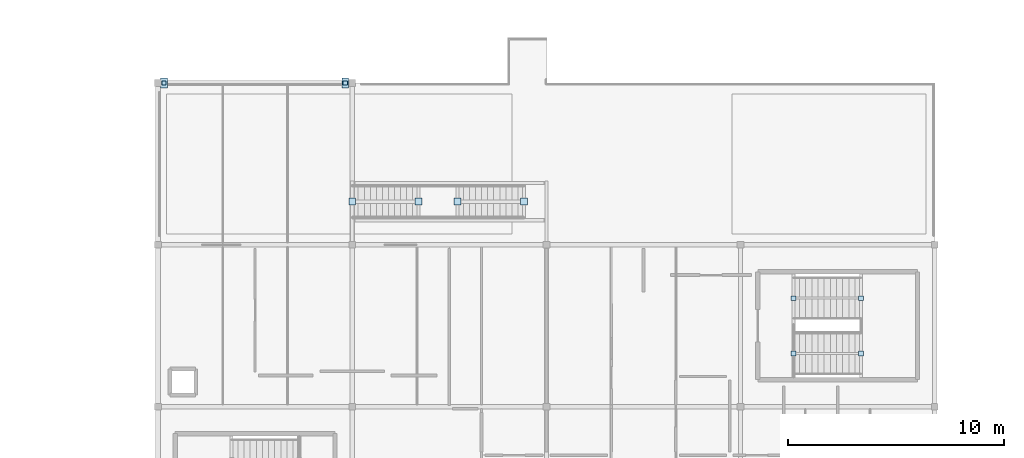
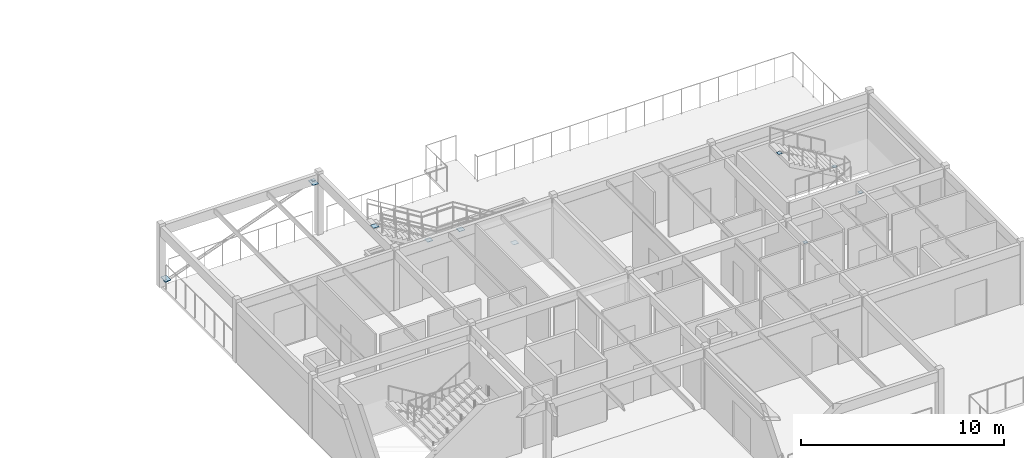
# One storey, part 17 of 24: 12 plates.
"""IFC4 building model written with IfcOpenShell, lengths in metres."""

import ifcopenshell
import ifcopenshell.guid

model = None  # the IFC model being written
_history = None  # IfcOwnerHistory: only IFC2X3 demands one
_inside = {}  # id of a spatial element -> (the spatial element, [elements in it])
_under = {}  # id of a project, library or spatial element -> (it, [spatial elements below it])
_declared = {}  # id of a project -> (the project, [libraries it declares])
_typed = {}  # id of a type object -> (the type object, [elements of that type])
_made_of = {}  # id of a material, layer set ... -> (it, [elements and type objects made of it])


def new_model(schema):
    """Start an empty IFC model of exactly this schema.

    Asked for "IFC4X3", IfcOpenShell would pick the latest addendum, in which some entities
    have other attributes; the version numbers below select the first issue.
    IFC2X3 requires an IfcOwnerHistory on every rooted entity: one is made here for all.
    """
    global model, _history
    if schema == "IFC4X3":
        model = ifcopenshell.file(schema_version=(4, 3, 0, 0))
    else:
        model = ifcopenshell.file(schema=schema)
    _inside.clear()
    _under.clear()
    _declared.clear()
    _typed.clear()
    _made_of.clear()
    _history = None
    if model.schema == "IFC2X3":
        org = make("IfcOrganization", Name="unknown")
        user = make(
            "IfcPersonAndOrganization",
            ThePerson=make("IfcPerson", FamilyName="unknown"),
            TheOrganization=org,
        )
        app = make(
            "IfcApplication",
            ApplicationDeveloper=org,
            Version="unknown",
            ApplicationFullName="unknown",
            ApplicationIdentifier="unknown",
        )
        _history = make(
            "IfcOwnerHistory",
            OwningUser=user,
            OwningApplication=app,
            ChangeAction="ADDED",
            CreationDate=0,
        )
    return model


def make(cls, **values):
    """One entity of the class cls with the attributes given. An attribute that is None is left unset."""
    return model.create_entity(
        cls, **{name: value for name, value in values.items() if value is not None}
    )


def rooted(cls, **values):
    """An entity with a GlobalId (a new one), such as an element, a storey or a relation."""
    return make(cls, GlobalId=ifcopenshell.guid.new(), OwnerHistory=_history, **values)


def si_unit(unit_type, name, prefix=None):
    """IfcSIUnit, for example si_unit("LENGTHUNIT", "METRE", prefix="MILLI")."""
    return make("IfcSIUnit", UnitType=unit_type, Prefix=prefix, Name=name)


def assignment(units):
    """IfcUnitAssignment: the units of a project."""
    return None if units is None else make("IfcUnitAssignment", Units=units)


def point(xyz):
    """IfcCartesianPoint."""
    return None if xyz is None else make("IfcCartesianPoint", Coordinates=xyz)


def direction(xyz):
    """IfcDirection."""
    return None if xyz is None else make("IfcDirection", DirectionRatios=xyz)


def frame(location, z_axis=None, x_axis=None):
    """IfcAxis2Placement3D, a coordinate frame: its origin and axes. An axis left out is left unset."""
    return make(
        "IfcAxis2Placement3D",
        Location=point(location),
        Axis=direction(z_axis),
        RefDirection=direction(x_axis),
    )


def frame_2d(location, x_axis=None):
    """IfcAxis2Placement2D, a coordinate frame in the plane: its origin and x axis."""
    return make(
        "IfcAxis2Placement2D", Location=point(location), RefDirection=direction(x_axis)
    )


def origin():
    """The frame at (0, 0, 0) with its axes left unset."""
    return frame((0.0, 0.0, 0.0))


def origin_2d():
    """The frame at (0, 0) in the plane with its x axis left unset."""
    return frame_2d((0.0, 0.0))


def place(relative_to, where):
    """IfcLocalPlacement: puts the frame where relative to a parent placement (None: the world)."""
    return make(
        "IfcLocalPlacement", PlacementRelTo=relative_to, RelativePlacement=where
    )


def context(
    kind, dimensions, precision=None, world=None, true_north=None, identifier=None
):
    """IfcGeometricRepresentationContext, for example the 3D "Model" context."""
    return make(
        "IfcGeometricRepresentationContext",
        ContextIdentifier=identifier,
        ContextType=kind,
        CoordinateSpaceDimension=dimensions,
        Precision=precision,
        WorldCoordinateSystem=world,
        TrueNorth=true_north,
    )


def subcontext(parent, identifier, kind, view, scale=None):
    """IfcGeometricRepresentationSubContext, for example "Body" below "Model"."""
    return make(
        "IfcGeometricRepresentationSubContext",
        ContextIdentifier=identifier,
        ContextType=kind,
        ParentContext=parent,
        TargetScale=scale,
        TargetView=view,
    )


def project(units=None, contexts=None):
    """IfcProject with its units and contexts."""
    return rooted(
        "IfcProject",
        Name="project",
        RepresentationContexts=contexts,
        UnitsInContext=assignment(units),
    )


def spatial(cls, under=None, at=None, **own):
    """A site, building, storey or space (cls), placed at a placement, below another one or the project."""
    s = rooted(cls, ObjectPlacement=at, **own)
    if under is not None:
        _under.setdefault(under.id(), (under, []))[1].append(s)
    return s


def profile(cls, at=None, kind="AREA", **sizes):
    """A parametric profile (cls). Its sizes go by their IFC names, for example OverallWidth=200.0."""
    return make(cls, ProfileType=kind, Position=at, **sizes)


def rectangle(**sizes):
    """IfcRectangleProfileDef."""
    return profile("IfcRectangleProfileDef", **sizes)


def extrude(swept, where, along, depth):
    """IfcExtrudedAreaSolid: the profile swept, set in the frame where, extruded along a direction by depth."""
    return make(
        "IfcExtrudedAreaSolid",
        SweptArea=swept,
        Position=where,
        ExtrudedDirection=direction(along),
        Depth=depth,
    )


def shape(context_of_items, identifier, shape_type, items):
    """IfcShapeRepresentation: the items that make up one representation, for example the "Body"."""
    return make(
        "IfcShapeRepresentation",
        ContextOfItems=context_of_items,
        RepresentationIdentifier=identifier,
        RepresentationType=shape_type,
        Items=items,
    )


def material(Name=None, Category=None):
    """IfcMaterial."""
    return make("IfcMaterial", Name=Name, Category=Category)


def layer(
    of_material, thickness, ventilated=None, Name=None, Category=None, Priority=None
):
    """IfcMaterialLayer: one layer of a wall or slab, of a material (None: an air gap)."""
    return make(
        "IfcMaterialLayer",
        Material=of_material,
        LayerThickness=thickness,
        IsVentilated=ventilated,
        Name=Name,
        Category=Category,
        Priority=Priority,
    )


def layer_set(layers, Name=None):
    """IfcMaterialLayerSet."""
    return make("IfcMaterialLayerSet", MaterialLayers=layers, LayerSetName=Name)


def made_of(thing, what):
    """Note that an element or type object is made of a material, layer set ...; save() writes the relation."""
    if what is not None:
        _made_of.setdefault(what.id(), (what, []))[1].append(thing)
    return thing


def type_object(cls, material=None, **own):
    """A type object (cls), such as IfcWallType, which elements share."""
    return made_of(rooted(cls, **own), material)


def element(
    cls,
    number,
    at=None,
    inside=None,
    cuts=None,
    type_object=None,
    material=None,
    context=None,
    identifier="Body",
    shape_type=None,
    held_by="IfcProductDefinitionShape",
    body=None,
    shapes=None,
    **own,
):
    """One element of the class cls, such as IfcWall. Its Tag is "e" and its number.

    at: its placement. inside: the storey or other place that contains it. cuts: it is an
    opening in that element (IfcRelVoidsElement). A single representation is given by context,
    identifier, shape_type and body (its items); several are given by shapes. held_by: the class
    of the entity that holds the representations. save() writes the other relations.
    """
    e = rooted(cls, Tag="e%d" % number, ObjectPlacement=at, **own)
    if body is not None:
        shapes = [shape(context, identifier, shape_type, body)]
    if shapes is not None:
        e.Representation = make(held_by, Representations=shapes)
    if inside is not None:
        _inside.setdefault(inside.id(), (inside, []))[1].append(e)
    if cuts is not None:
        rooted(
            "IfcRelVoidsElement", RelatingBuildingElement=cuts, RelatedOpeningElement=e
        )
    if type_object is not None:
        _typed.setdefault(type_object.id(), (type_object, []))[1].append(e)
    return made_of(e, material)


def aggregate(whole, parts):
    """IfcRelAggregates: a whole, such as a stair, and the parts it consists of."""
    return rooted("IfcRelAggregates", RelatingObject=whole, RelatedObjects=parts)


def save(model, path):
    """Write the relations noted so far, then the file.

    IfcRelAggregates (storeys below a building ...), IfcRelContainedInSpatialStructure (elements
    in a storey), IfcRelDefinesByType, IfcRelAssociatesMaterial and IfcRelDeclares: one each for
    every whole, place, type object, material and project.
    """
    for whole, parts in _under.values():
        aggregate(whole, parts)
    for where, things in _inside.values():
        rooted(
            "IfcRelContainedInSpatialStructure",
            RelatedElements=things,
            RelatingStructure=where,
        )
    for kind, things in _typed.values():
        rooted("IfcRelDefinesByType", RelatedObjects=things, RelatingType=kind)
    for what, things in _made_of.values():
        rooted("IfcRelAssociatesMaterial", RelatedObjects=things, RelatingMaterial=what)
    for by, libraries in _declared.values():
        rooted("IfcRelDeclares", RelatingContext=by, RelatedDefinitions=libraries)
    model.write(path)


model = new_model("IFC4")

# Units and contexts
model_context = context("Model", 3, precision=1e-05, world=origin(), true_north=direction((0.0, 1.0)))
body_context = subcontext(model_context, "Body", "Model", "MODEL_VIEW")
ifc_project = project(units=[si_unit("LENGTHUNIT", "METRE"), si_unit("AREAUNIT", "SQUARE_METRE"), si_unit("VOLUMEUNIT", "CUBIC_METRE"), si_unit("PLANEANGLEUNIT", "RADIAN"), si_unit("MASSUNIT", "GRAM", prefix="KILO")], contexts=[model_context])

# Site, building, storey
site_placement = place(None, origin())
site = spatial("IfcSite", under=ifc_project, at=site_placement, CompositionType="ELEMENT")
building_placement = place(site_placement, origin())
building = spatial("IfcBuilding", under=site, at=building_placement, Name="Marnridge Secondary College", CompositionType="ELEMENT")
storey_placement = place(building_placement, frame((0.0, 0.0, 16.10009765625)))
storey = spatial("IfcBuildingStorey", under=building, at=storey_placement, Name="L04", CompositionType="ELEMENT", Elevation=16.10009765625)

# Plates
ifc_material_1 = material(Name="Structural steel plate Grade 350 (AS/NZS 3678, fy = 350 MPa <=12mm, 340 MPa 12-20mm, 330 MPa 20-50mm)", Category="steel")
ifc_layer_1 = layer(ifc_material_1, 0.011962890625)
ifc_layer_set_1 = layer_set([ifc_layer_1], Name="PT-CAP-EXT")
plate_type_1 = type_object("IfcPlateType", Name="PT-CAP-EXT", PredefinedType="SHEET", material=ifc_layer_set_1)
for number, where, z_axis, x_axis, name in (
    (1, (54.281982421875, 75.0, 0.15478515625), (0.0, 0.0, 1.0), (1.0, 0.0, 0.0), "Tube end cap BR-010-EC1"),
    (2, (62.677978515625, 75.0, 3.29345703125), (0.0, 0.0, 1.0), (1.0, 0.0, 0.0), "Tube end cap BR-010-EC2"),
):
    element("IfcPlate", number, at=place(storey_placement, frame(where, z_axis=z_axis, x_axis=x_axis)), inside=storey, type_object=plate_type_1, Name=name, PredefinedType="SHEET", context=body_context, shape_type="SweptSolid", body=[
        extrude(rectangle(XDim=0.18798828125, YDim=0.18798828125, at=origin_2d()), origin(), (0.0, 0.0, 1.0), 0.011962890625),
    ])
for number, where, z_axis, x_axis, name in (
    (3, (70.958251953125, 69.5, -0.044921875), (0.0, 0.0, 1.0), (-1.0, 0.0, 0.0), "Tube end cap STR-067-EC1"),
    (4, (67.881591796875, 69.5, 1.8330078125), (0.0, 0.0, 1.0), (-1.0, 0.0, 0.0), "Tube end cap STR-067-EC2"),
    (5, (66.078369140625, 69.5, 1.8349609375), (0.0, 0.0, 1.0), (-1.0, 0.0, 0.0), "Tube end cap STR-068-EC1"),
    (6, (63.001708984375, 69.5, 3.7529296875), (0.0, 0.0, 1.0), (-1.0, 0.0, 0.0), "Tube end cap STR-068-EC2"),
):
    element("IfcPlate", number, at=place(storey_placement, frame(where, z_axis=z_axis, x_axis=x_axis)), inside=storey, type_object=plate_type_1, Name=name, PredefinedType="SHEET", context=body_context, shape_type="SweptSolid", body=[
        extrude(rectangle(XDim=0.320068359375, YDim=0.320068359375, at=origin_2d()), origin(), (0.0, 0.0, 1.0), 0.011962890625),
    ])
ifc_material_2 = material(Name="Structural steel plate Grade 350 (AS/NZS 3678, fy = 350 MPa <=12mm, 340 MPa 12-20mm, 330 MPa 20-50mm)", Category="steel")
ifc_layer_2 = layer(ifc_material_2, 0.010009765625)
ifc_layer_set_2 = layer_set([ifc_layer_2], Name="PT-CAP-INT")
plate_type_2 = type_object("IfcPlateType", Name="PT-CAP-INT", PredefinedType="SHEET", material=ifc_layer_set_2)
for number, where, z_axis, x_axis, name in (
    (7, (83.45166015625, 62.469970703125, -0.1220703125), (0.0, 0.0, 1.0), (1.0, 0.0, 0.0), "Tube end cap STR-019-EC1"),
    (8, (86.583251953125, 62.469970703125, 1.7861328125), (0.0, 0.0, 1.0), (1.0, 0.0, 0.0), "Tube end cap STR-019-EC2"),
    (9, (86.583251953125, 65.030029296875, 1.7880859375), (0.0, 0.0, 1.0), (-1.0, 0.0, 0.0), "Tube end cap STR-020-EC1"),
    (10, (83.45166015625, 65.030029296875, 3.69580078125), (0.0, 0.0, 1.0), (-1.0, 0.0, 0.0), "Tube end cap STR-020-EC2"),
):
    element("IfcPlate", number, at=place(storey_placement, frame(where, z_axis=z_axis, x_axis=x_axis)), inside=storey, type_object=plate_type_2, Name=name, PredefinedType="SHEET", context=body_context, shape_type="SweptSolid", body=[
        extrude(rectangle(XDim=0.219970703125, YDim=0.219970703125, at=origin_2d()), origin(), (0.0, 0.0, 1.0), 0.010009765625),
    ])
ifc_material_3 = material(Name="Structural steel plate Grade 350 (AS/NZS 3678, fy = 350 MPa <=12mm, 340 MPa 12-20mm, 330 MPa 20-50mm)", Category="steel")
ifc_layer_3 = layer(ifc_material_3, 0.02392578125)
ifc_layer_set_3 = layer_set([ifc_layer_3], Name="PT-GUS-GSN2")
plate_type_3 = type_object("IfcPlateType", Name="PT-GUS-GSN2", PredefinedType="USERDEFINED", material=ifc_layer_set_3)
for number, where, z_axis, x_axis, name in (
    (11, (54.280029296875, 75.0, 0.287841796875), (0.0, 0.0, 1.0), (0.0, 1.0, 0.0), "Braced-frame gusset plate GP-069"),
    (12, (62.679931640625, 75.0, 3.14794921875), (0.0, 0.0, 1.0), (0.0, 1.0, 0.0), "Braced-frame gusset plate GP-070"),
):
    element("IfcPlate", number, at=place(storey_placement, frame(where, z_axis=z_axis, x_axis=x_axis)), inside=storey, type_object=plate_type_3, Name=name, ObjectType="GUSSET PLATE", PredefinedType="USERDEFINED", context=body_context, shape_type="SweptSolid", body=[
        extrude(rectangle(XDim=0.47998046875, YDim=0.320068359375, at=origin_2d()), origin(), (0.0, 0.0, 1.0), 0.02392578125),
    ])

save(model, "model.ifc")
